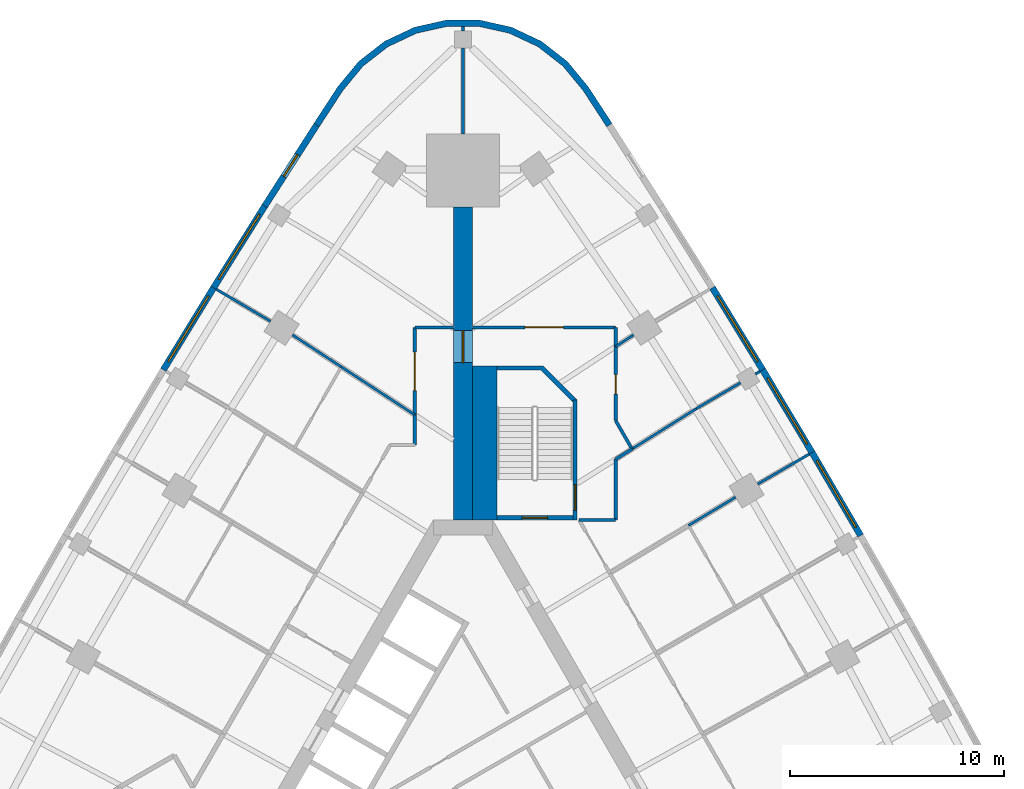
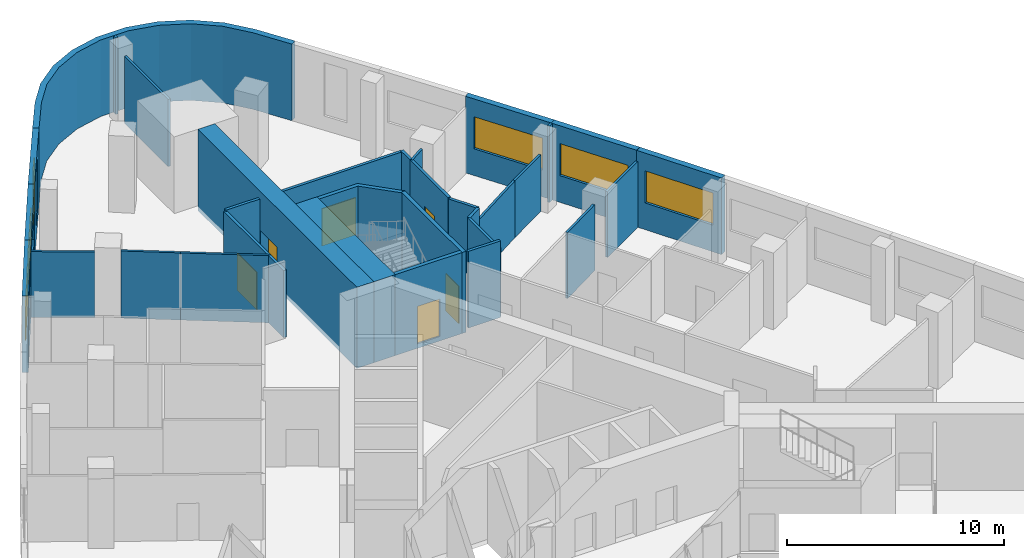
# One storey, part 9 of 11: 33 walls, 6 doors, 6 windows, 12 openings.
"""IFC4 building model written with IfcOpenShell, lengths in metres."""

import ifcopenshell
import ifcopenshell.guid

model = None  # the IFC model being written
_history = None  # IfcOwnerHistory: only IFC2X3 demands one
_inside = {}  # id of a spatial element -> (the spatial element, [elements in it])
_under = {}  # id of a project, library or spatial element -> (it, [spatial elements below it])
_declared = {}  # id of a project -> (the project, [libraries it declares])
_typed = {}  # id of a type object -> (the type object, [elements of that type])
_made_of = {}  # id of a material, layer set ... -> (it, [elements and type objects made of it])


def new_model(schema):
    """Start an empty IFC model of exactly this schema.

    Asked for "IFC4X3", IfcOpenShell would pick the latest addendum, in which some entities
    have other attributes; the version numbers below select the first issue.
    IFC2X3 requires an IfcOwnerHistory on every rooted entity: one is made here for all.
    """
    global model, _history
    if schema == "IFC4X3":
        model = ifcopenshell.file(schema_version=(4, 3, 0, 0))
    else:
        model = ifcopenshell.file(schema=schema)
    _inside.clear()
    _under.clear()
    _declared.clear()
    _typed.clear()
    _made_of.clear()
    _history = None
    if model.schema == "IFC2X3":
        org = make("IfcOrganization", Name="unknown")
        user = make(
            "IfcPersonAndOrganization",
            ThePerson=make("IfcPerson", FamilyName="unknown"),
            TheOrganization=org,
        )
        app = make(
            "IfcApplication",
            ApplicationDeveloper=org,
            Version="unknown",
            ApplicationFullName="unknown",
            ApplicationIdentifier="unknown",
        )
        _history = make(
            "IfcOwnerHistory",
            OwningUser=user,
            OwningApplication=app,
            ChangeAction="ADDED",
            CreationDate=0,
        )
    return model


def make(cls, **values):
    """One entity of the class cls with the attributes given. An attribute that is None is left unset."""
    return model.create_entity(
        cls, **{name: value for name, value in values.items() if value is not None}
    )


def rooted(cls, **values):
    """An entity with a GlobalId (a new one), such as an element, a storey or a relation."""
    return make(cls, GlobalId=ifcopenshell.guid.new(), OwnerHistory=_history, **values)


def si_unit(unit_type, name, prefix=None):
    """IfcSIUnit, for example si_unit("LENGTHUNIT", "METRE", prefix="MILLI")."""
    return make("IfcSIUnit", UnitType=unit_type, Prefix=prefix, Name=name)


def assignment(units):
    """IfcUnitAssignment: the units of a project."""
    return None if units is None else make("IfcUnitAssignment", Units=units)


def point(xyz):
    """IfcCartesianPoint."""
    return None if xyz is None else make("IfcCartesianPoint", Coordinates=xyz)


def direction(xyz):
    """IfcDirection."""
    return None if xyz is None else make("IfcDirection", DirectionRatios=xyz)


def frame(location, z_axis=None, x_axis=None):
    """IfcAxis2Placement3D, a coordinate frame: its origin and axes. An axis left out is left unset."""
    return make(
        "IfcAxis2Placement3D",
        Location=point(location),
        Axis=direction(z_axis),
        RefDirection=direction(x_axis),
    )


def frame_2d(location, x_axis=None):
    """IfcAxis2Placement2D, a coordinate frame in the plane: its origin and x axis."""
    return make(
        "IfcAxis2Placement2D", Location=point(location), RefDirection=direction(x_axis)
    )


def origin():
    """The frame at (0, 0, 0) with its axes left unset."""
    return frame((0.0, 0.0, 0.0))


def place(relative_to, where):
    """IfcLocalPlacement: puts the frame where relative to a parent placement (None: the world)."""
    return make(
        "IfcLocalPlacement", PlacementRelTo=relative_to, RelativePlacement=where
    )


def context(
    kind, dimensions, precision=None, world=None, true_north=None, identifier=None
):
    """IfcGeometricRepresentationContext, for example the 3D "Model" context."""
    return make(
        "IfcGeometricRepresentationContext",
        ContextIdentifier=identifier,
        ContextType=kind,
        CoordinateSpaceDimension=dimensions,
        Precision=precision,
        WorldCoordinateSystem=world,
        TrueNorth=true_north,
    )


def subcontext(parent, identifier, kind, view, scale=None):
    """IfcGeometricRepresentationSubContext, for example "Body" below "Model"."""
    return make(
        "IfcGeometricRepresentationSubContext",
        ContextIdentifier=identifier,
        ContextType=kind,
        ParentContext=parent,
        TargetScale=scale,
        TargetView=view,
    )


def project(units=None, contexts=None):
    """IfcProject with its units and contexts."""
    return rooted(
        "IfcProject",
        Name="project",
        RepresentationContexts=contexts,
        UnitsInContext=assignment(units),
    )


def spatial(cls, under=None, at=None, **own):
    """A site, building, storey or space (cls), placed at a placement, below another one or the project."""
    s = rooted(cls, ObjectPlacement=at, **own)
    if under is not None:
        _under.setdefault(under.id(), (under, []))[1].append(s)
    return s


def polyline(points):
    """IfcPolyline through the points."""
    return make("IfcPolyline", Points=[point(p) for p in points])


def profile(cls, at=None, kind="AREA", **sizes):
    """A parametric profile (cls). Its sizes go by their IFC names, for example OverallWidth=200.0."""
    return make(cls, ProfileType=kind, Position=at, **sizes)


def rectangle(**sizes):
    """IfcRectangleProfileDef."""
    return profile("IfcRectangleProfileDef", **sizes)


def outline(outer, holes=None, kind="AREA"):
    """IfcArbitraryClosedProfileDef: a profile drawn as a closed curve; with holes, ...WithVoids."""
    if holes is None:
        return make("IfcArbitraryClosedProfileDef", ProfileType=kind, OuterCurve=outer)
    return make(
        "IfcArbitraryProfileDefWithVoids",
        ProfileType=kind,
        OuterCurve=outer,
        InnerCurves=holes,
    )


def extrude(swept, where, along, depth):
    """IfcExtrudedAreaSolid: the profile swept, set in the frame where, extruded along a direction by depth."""
    return make(
        "IfcExtrudedAreaSolid",
        SweptArea=swept,
        Position=where,
        ExtrudedDirection=direction(along),
        Depth=depth,
    )


def shape(context_of_items, identifier, shape_type, items):
    """IfcShapeRepresentation: the items that make up one representation, for example the "Body"."""
    return make(
        "IfcShapeRepresentation",
        ContextOfItems=context_of_items,
        RepresentationIdentifier=identifier,
        RepresentationType=shape_type,
        Items=items,
    )


def material(Name=None, Category=None):
    """IfcMaterial."""
    return make("IfcMaterial", Name=Name, Category=Category)


def layer(
    of_material, thickness, ventilated=None, Name=None, Category=None, Priority=None
):
    """IfcMaterialLayer: one layer of a wall or slab, of a material (None: an air gap)."""
    return make(
        "IfcMaterialLayer",
        Material=of_material,
        LayerThickness=thickness,
        IsVentilated=ventilated,
        Name=Name,
        Category=Category,
        Priority=Priority,
    )


def layer_set(layers, Name=None):
    """IfcMaterialLayerSet."""
    return make("IfcMaterialLayerSet", MaterialLayers=layers, LayerSetName=Name)


def made_of(thing, what):
    """Note that an element or type object is made of a material, layer set ...; save() writes the relation."""
    if what is not None:
        _made_of.setdefault(what.id(), (what, []))[1].append(thing)
    return thing


def type_object(cls, material=None, **own):
    """A type object (cls), such as IfcWallType, which elements share."""
    return made_of(rooted(cls, **own), material)


def element(
    cls,
    number,
    at=None,
    inside=None,
    cuts=None,
    type_object=None,
    material=None,
    context=None,
    identifier="Body",
    shape_type=None,
    held_by="IfcProductDefinitionShape",
    body=None,
    shapes=None,
    **own,
):
    """One element of the class cls, such as IfcWall. Its Tag is "e" and its number.

    at: its placement. inside: the storey or other place that contains it. cuts: it is an
    opening in that element (IfcRelVoidsElement). A single representation is given by context,
    identifier, shape_type and body (its items); several are given by shapes. held_by: the class
    of the entity that holds the representations. save() writes the other relations.
    """
    e = rooted(cls, Tag="e%d" % number, ObjectPlacement=at, **own)
    if body is not None:
        shapes = [shape(context, identifier, shape_type, body)]
    if shapes is not None:
        e.Representation = make(held_by, Representations=shapes)
    if inside is not None:
        _inside.setdefault(inside.id(), (inside, []))[1].append(e)
    if cuts is not None:
        rooted(
            "IfcRelVoidsElement", RelatingBuildingElement=cuts, RelatedOpeningElement=e
        )
    if type_object is not None:
        _typed.setdefault(type_object.id(), (type_object, []))[1].append(e)
    return made_of(e, material)


def fill(opening, filler):
    """IfcRelFillsElement: the door or window that sits in an opening."""
    return rooted(
        "IfcRelFillsElement",
        RelatingOpeningElement=opening,
        RelatedBuildingElement=filler,
    )


def aggregate(whole, parts):
    """IfcRelAggregates: a whole, such as a stair, and the parts it consists of."""
    return rooted("IfcRelAggregates", RelatingObject=whole, RelatedObjects=parts)


def save(model, path):
    """Write the relations noted so far, then the file.

    IfcRelAggregates (storeys below a building ...), IfcRelContainedInSpatialStructure (elements
    in a storey), IfcRelDefinesByType, IfcRelAssociatesMaterial and IfcRelDeclares: one each for
    every whole, place, type object, material and project.
    """
    for whole, parts in _under.values():
        aggregate(whole, parts)
    for where, things in _inside.values():
        rooted(
            "IfcRelContainedInSpatialStructure",
            RelatedElements=things,
            RelatingStructure=where,
        )
    for kind, things in _typed.values():
        rooted("IfcRelDefinesByType", RelatedObjects=things, RelatingType=kind)
    for what, things in _made_of.values():
        rooted("IfcRelAssociatesMaterial", RelatedObjects=things, RelatingMaterial=what)
    for by, libraries in _declared.values():
        rooted("IfcRelDeclares", RelatingContext=by, RelatedDefinitions=libraries)
    model.write(path)


model = new_model("IFC4")

# Units and contexts
model_context = context("Model", 3, precision=1e-05, world=origin(), true_north=direction((0.0, 1.0)))
body_context = subcontext(model_context, "Body", "Model", "MODEL_VIEW")
ifc_project = project(units=[si_unit("LENGTHUNIT", "METRE"), si_unit("AREAUNIT", "SQUARE_METRE"), si_unit("VOLUMEUNIT", "CUBIC_METRE"), si_unit("PLANEANGLEUNIT", "RADIAN"), si_unit("MASSUNIT", "GRAM", prefix="KILO")], contexts=[model_context])

# Site, building, storey
site_placement = place(None, origin())
site = spatial("IfcSite", under=ifc_project, at=site_placement, CompositionType="ELEMENT")
building_placement = place(site_placement, origin())
building = spatial("IfcBuilding", under=site, at=building_placement, Name="Noor Cloister Tower", CompositionType="ELEMENT")
storey_placement = place(building_placement, frame((0.0, 0.0, 19.5)))
storey = spatial("IfcBuildingStorey", under=building, at=storey_placement, Name="L04", CompositionType="ELEMENT", Elevation=19.5)

# Wall, opening, door
ifc_material_1 = material(Name="Concrete C80/95", Category="concrete")
ifc_layer_1 = layer(ifc_material_1, 0.89990234375)
ifc_layer_set_1 = layer_set([ifc_layer_1], Name="Buttress wall 900 C80/95")
wall_type_1 = type_object("IfcWallType", Name="Buttress wall 900 C80/95", PredefinedType="SHEAR", material=ifc_layer_set_1)
wall_1_placement = place(storey_placement, frame((0.0, 11.456298828125, -0.25), z_axis=(0.0, 0.0, 1.0), x_axis=(0.0, 1.0, 0.0)))
wall_1 = element("IfcWall", 1, at=wall_1_placement, inside=storey, type_object=wall_type_1, Name="Buttress wall N L04", PredefinedType="SHEAR", context=body_context, shape_type="SweptSolid", body=[
    extrude(rectangle(XDim=14.6328125, YDim=0.89990234375, at=frame_2d((7.31640625, 0.0))), origin(), (0.0, 0.0, 1.0), 4.550048828125),
])
opening_1_placement = place(wall_1_placement, frame((7.35009765625, 0.0, 0.25)))
opening_1 = element("IfcOpeningElement", 2, at=opening_1_placement, cuts=wall_1, Name="Opening L04-033", PredefinedType="OPENING", context=body_context, shape_type="SweptSolid", body=[
    extrude(rectangle(XDim=1.5, YDim=2.10009765625, at=frame_2d((0.75, 1.050048828125))), frame((0.0, 0.4599609375, 0.0), z_axis=(0.0, -1.0, 0.0), x_axis=(1.0, 0.0, 0.0)), (0.0, 0.0, 1.0), 0.919921875),
])
ifc_material_2 = material(Name="Steel fire door", Category="steel")
door_type_1 = type_object("IfcDoorType", Name="Smoke barrier door FD60 1500", OperationType="DOUBLE_DOOR_SINGLE_SWING", PredefinedType="DOOR", material=ifc_material_2)
door_1_placement = place(opening_1_placement, origin())
door_1 = element("IfcDoor", 3, at=door_1_placement, inside=storey, type_object=door_type_1, Name="Door L04-033", OperationType="DOUBLE_DOOR_SINGLE_SWING", OverallHeight=2.10009765625, OverallWidth=1.5, PredefinedType="DOOR", context=body_context, shape_type="SweptSolid", body=[
    extrude(rectangle(XDim=1.5, YDim=2.10009765625, at=frame_2d((0.75, 1.050048828125))), frame((0.0, 0.02490234375, 0.0), z_axis=(0.0, -1.0, 0.0), x_axis=(1.0, 0.0, 0.0)), (0.0, 0.0, 1.0), 0.050048828125),
])
fill(opening_1, door_1)

# Walls
ifc_material_3 = material(Name="Plasterboard on steel studs", Category="steel")
ifc_layer_2 = layer(ifc_material_3, 0.14990234375)
ifc_layer_set_2 = layer_set([ifc_layer_2], Name="Corridor wall 150")
wall_type_2 = type_object("IfcWallType", Name="Corridor wall 150", PredefinedType="PARTITIONING", material=ifc_layer_set_2)
wall_2_placement = place(storey_placement, frame((5.427001953125, 11.4560546875, 0.0), z_axis=(0.0, 0.0, 1.0), x_axis=(1.0, 0.0, 0.0)))
element("IfcWall", 4, at=wall_2_placement, inside=storey, type_object=wall_type_2, Name="Partition", PredefinedType="PARTITIONING", context=body_context, shape_type="SweptSolid", body=[
    extrude(rectangle(XDim=1.7080078125, YDim=0.14990234375, at=frame_2d((0.85400390625, 0.0))), origin(), (0.0, 0.0, 1.0), 4.300048828125),
])
wall_3_placement = place(storey_placement, frame((7.135986328125, 11.45703125, 0.0), z_axis=(0.0, 0.0, 1.0), x_axis=(0.0, 1.0, 0.0)))
element("IfcWall", 5, at=wall_3_placement, inside=storey, type_object=wall_type_2, Name="Partition", PredefinedType="PARTITIONING", context=body_context, shape_type="SweptSolid", body=[
    extrude(rectangle(XDim=2.8388671875, YDim=0.14990234375, at=frame_2d((1.41943359375, 0.0))), origin(), (0.0, 0.0, 1.0), 3.843017578125),
])
wall_4_placement = place(storey_placement, frame((7.135986328125, 14.2958984375, 0.0), z_axis=(0.0, 0.0, 1.0), x_axis=(0.84681367047, 0.531889657265, 0.0)))
element("IfcWall", 6, at=wall_4_placement, inside=storey, type_object=wall_type_2, Name="Partition", PredefinedType="PARTITIONING", context=body_context, shape_type="SweptSolid", body=[
    extrude(rectangle(XDim=0.90478515625, YDim=0.14990234375, at=frame_2d((0.452392578125, 0.0))), origin(), (0.0, 0.0, 1.0), 3.843017578125),
])
wall_5_placement = place(storey_placement, frame((7.89892578125, 14.77587890625, 0.0), z_axis=(0.0, 0.0, 1.0), x_axis=(-0.500392307633, 0.865798786359, 0.0)))
element("IfcWall", 7, at=wall_5_placement, inside=storey, type_object=wall_type_2, Name="Partition", PredefinedType="PARTITIONING", context=body_context, shape_type="SweptSolid", body=[
    extrude(rectangle(XDim=1.524658203125, YDim=0.14990234375, at=frame_2d((0.76220703125, 0.0))), origin(), (0.0, 0.0, 1.0), 3.843017578125),
])

# Wall, opening, door
wall_6_placement = place(storey_placement, frame((7.135986328125, 16.095947265625, 0.0), z_axis=(0.0, 0.0, 1.0), x_axis=(0.0, 1.0, 0.0)))
wall_6 = element("IfcWall", 8, at=wall_6_placement, inside=storey, type_object=wall_type_2, Name="Partition", PredefinedType="PARTITIONING", context=body_context, shape_type="SweptSolid", body=[
    extrude(rectangle(XDim=3.466064453125, YDim=0.14990234375, at=frame_2d((1.73291015625, 0.0))), origin(), (0.0, 0.0, 1.0), 3.89404296875),
])
opening_2_placement = place(wall_6_placement, frame((1.25, 0.0, 0.0)))
opening_2 = element("IfcOpeningElement", 9, at=opening_2_placement, cuts=wall_6, Name="Opening L04-028", PredefinedType="OPENING", context=body_context, shape_type="SweptSolid", body=[
    extrude(rectangle(XDim=0.89990234375, YDim=2.10009765625, at=frame_2d((0.449951171875, 1.050048828125))), frame((0.0, 0.0849609375, 0.0), z_axis=(0.0, -1.0, 0.0), x_axis=(1.0, 0.0, 0.0)), (0.0, 0.0, 1.0), 0.169921875),
])
ifc_material_4 = material(Name="Timber door leaf", Category="wood")
door_type_2 = type_object("IfcDoorType", Name="Service room door 900", OperationType="SINGLE_SWING_LEFT", PredefinedType="DOOR", material=ifc_material_4)
door_2_placement = place(opening_2_placement, origin())
door_2 = element("IfcDoor", 10, at=door_2_placement, inside=storey, type_object=door_type_2, Name="Door L04-028", OperationType="SINGLE_SWING_RIGHT", OverallHeight=2.10009765625, OverallWidth=0.89990234375, PredefinedType="DOOR", context=body_context, shape_type="SweptSolid", body=[
    extrude(rectangle(XDim=0.89990234375, YDim=2.10009765625, at=frame_2d((0.449951171875, 1.050048828125))), frame((0.0, 0.02490234375, 0.0), z_axis=(0.0, -1.0, 0.0), x_axis=(1.0, 0.0, 0.0)), (0.0, 0.0, 1.0), 0.050048828125),
])
fill(opening_2, door_2)

# Wall
wall_7_placement = place(storey_placement, frame((7.135986328125, 19.56298828125, 0.0), z_axis=(0.0, 0.0, 1.0), x_axis=(0.0, 1.0, 0.0)))
element("IfcWall", 11, at=wall_7_placement, inside=storey, type_object=wall_type_2, Name="Partition", PredefinedType="PARTITIONING", context=body_context, shape_type="SweptSolid", body=[
    extrude(rectangle(XDim=0.89306640625, YDim=0.14990234375, at=frame_2d((0.446533203125, 0.0))), origin(), (0.0, 0.0, 1.0), 3.89404296875),
])

# Wall, opening, door
wall_8_placement = place(storey_placement, frame((7.135986328125, 20.4560546875, 0.0), z_axis=(0.0, 0.0, 1.0), x_axis=(-1.0, 0.0, 0.0)))
wall_8 = element("IfcWall", 12, at=wall_8_placement, inside=storey, type_object=wall_type_2, Name="Partition", PredefinedType="PARTITIONING", context=body_context, shape_type="SweptSolid", body=[
    extrude(rectangle(XDim=6.68603515625, YDim=0.14990234375, at=frame_2d((3.343017578125, 0.0))), origin(), (0.0, 0.0, 1.0), 3.843017578125),
])
opening_3_placement = place(wall_8_placement, frame((2.449951171875, 0.0, 0.0)))
opening_3 = element("IfcOpeningElement", 13, at=opening_3_placement, cuts=wall_8, Name="Opening L04-030", PredefinedType="OPENING", context=body_context, shape_type="SweptSolid", body=[
    extrude(rectangle(XDim=1.800048828125, YDim=2.10009765625, at=frame_2d((0.89990234375, 1.050048828125))), frame((0.0, 0.0849609375, 0.0), z_axis=(0.0, -1.0, 0.0), x_axis=(1.0, 0.0, 0.0)), (0.0, 0.0, 1.0), 0.169921875),
])
ifc_material_5 = material(Name="Timber door leaf", Category="wood")
door_type_3 = type_object("IfcDoorType", Name="Double leaf door 1800", OperationType="DOUBLE_DOOR_SINGLE_SWING", PredefinedType="DOOR", material=ifc_material_5)
door_3_placement = place(opening_3_placement, origin())
door_3 = element("IfcDoor", 14, at=door_3_placement, inside=storey, type_object=door_type_3, Name="Door L04-030", OperationType="DOUBLE_DOOR_SINGLE_SWING", OverallHeight=2.10009765625, OverallWidth=1.800048828125, PredefinedType="DOOR", context=body_context, shape_type="SweptSolid", body=[
    extrude(rectangle(XDim=1.800048828125, YDim=2.10009765625, at=frame_2d((0.89990234375, 1.050048828125))), frame((0.0, 0.02490234375, 0.0), z_axis=(0.0, -1.0, 0.0), x_axis=(1.0, 0.0, 0.0)), (0.0, 0.0, 1.0), 0.050048828125),
])
fill(opening_3, door_3)

# Walls
wall_9_placement = place(storey_placement, frame((-2.25, 16.364990234375, 0.0), z_axis=(0.0, 0.0, 1.0), x_axis=(0.0, -1.0, 0.0)))
element("IfcWall", 15, at=wall_9_placement, inside=storey, type_object=wall_type_2, Name="Partition", PredefinedType="PARTITIONING", context=body_context, shape_type="SweptSolid", body=[
    extrude(rectangle(XDim=1.408935546875, YDim=0.14990234375, at=frame_2d((0.70458984375, 0.0))), origin(), (0.0, 0.0, 1.0), 3.76708984375),
])
wall_10_placement = place(storey_placement, frame((-0.449951171875, 20.4560546875, 0.0), z_axis=(0.0, 0.0, 1.0), x_axis=(-1.0, 0.0, 0.0)))
element("IfcWall", 16, at=wall_10_placement, inside=storey, type_object=wall_type_2, Name="Partition", PredefinedType="PARTITIONING", context=body_context, shape_type="SweptSolid", body=[
    extrude(rectangle(XDim=1.800048828125, YDim=0.14990234375, at=frame_2d((0.89990234375, 0.0))), origin(), (0.0, 0.0, 1.0), 3.843017578125),
])

# Wall, opening, door
wall_11_placement = place(storey_placement, frame((-2.25, 20.4560546875, 0.0), z_axis=(0.0, 0.0, 1.0), x_axis=(0.0, -1.0, 0.0)))
wall_11 = element("IfcWall", 17, at=wall_11_placement, inside=storey, type_object=wall_type_2, Name="Partition", PredefinedType="PARTITIONING", context=body_context, shape_type="SweptSolid", body=[
    extrude(rectangle(XDim=4.089111328125, YDim=0.14990234375, at=frame_2d((2.04443359375, 0.0))), origin(), (0.0, 0.0, 1.0), 3.76708984375),
])
opening_4_placement = place(wall_11_placement, frame((1.14990234375, 0.0, 0.0)))
opening_4 = element("IfcOpeningElement", 18, at=opening_4_placement, cuts=wall_11, Name="Opening L04-029", PredefinedType="OPENING", context=body_context, shape_type="SweptSolid", body=[
    extrude(rectangle(XDim=1.800048828125, YDim=2.10009765625, at=frame_2d((0.89990234375, 1.050048828125))), frame((0.0, 0.0849609375, 0.0), z_axis=(0.0, -1.0, 0.0), x_axis=(1.0, 0.0, 0.0)), (0.0, 0.0, 1.0), 0.169921875),
])
door_4_placement = place(opening_4_placement, origin())
door_4 = element("IfcDoor", 19, at=door_4_placement, inside=storey, type_object=door_type_3, Name="Door L04-029", OperationType="DOUBLE_DOOR_SINGLE_SWING", OverallHeight=2.10009765625, OverallWidth=1.800048828125, PredefinedType="DOOR", context=body_context, shape_type="SweptSolid", body=[
    extrude(rectangle(XDim=1.800048828125, YDim=2.10009765625, at=frame_2d((0.89990234375, 1.050048828125))), frame((0.0, 0.02490234375, 0.0), z_axis=(0.0, -1.0, 0.0), x_axis=(1.0, 0.0, 0.0)), (0.0, 0.0, 1.0), 0.050048828125),
])
fill(opening_4, door_4)

# Wall
ifc_material_6 = material(Name="Limestone", Category="masonry")
ifc_layer_3 = layer(ifc_material_6, 0.300048828125)
ifc_layer_set_3 = layer_set([ifc_layer_3], Name="Limestone cladding 300")
wall_type_3 = type_object("IfcWallType", Name="Limestone cladding 300", PredefinedType="NOTDEFINED", material=ifc_layer_set_3)
wall_12_placement = place(storey_placement, origin())
element("IfcWall", 20, at=wall_12_placement, inside=storey, type_object=wall_type_3, Name="Limestone pier cladding L04 3.1", PredefinedType="NOTDEFINED", context=body_context, shape_type="SweptSolid", body=[
    extrude(outline(polyline([(6.96728515625, 29.991943359375), (5.85693359375, 31.69677734375), (4.877685546875, 32.884033203125), (3.662841796875, 33.828369140625), (2.27099609375, 34.484619140625), (0.769287109375, 34.82080078125), (-0.769287109375, 34.82080078125), (-2.27099609375, 34.484619140625), (-3.662841796875, 33.828369140625), (-4.877685546875, 32.884033203125), (-5.85693359375, 31.69677734375), (-6.96728515625, 29.991943359375), (-6.7158203125, 29.828125), (-5.61474609375, 31.51904296875), (-4.667236328125, 32.66748046875), (-3.5048828125, 33.571044921875), (-2.173095703125, 34.198974609375), (-0.736328125, 34.520751953125), (0.736328125, 34.520751953125), (2.173095703125, 34.198974609375), (3.5048828125, 33.571044921875), (4.667236328125, 32.66748046875), (5.61474609375, 31.51904296875), (6.7158203125, 29.828125), (6.96728515625, 29.991943359375)])), origin(), (0.0, 0.0, 1.0), 4.300048828125),
])

# Wall, opening, window
ifc_material_7 = material(Name="Limestone", Category="masonry")
ifc_layer_4 = layer(ifc_material_7, 0.300048828125)
ifc_layer_set_4 = layer_set([ifc_layer_4], Name="Limestone panel wall 300")
wall_type_4 = type_object("IfcWallType", Name="Limestone panel wall 300", PredefinedType="NOTDEFINED", material=ifc_layer_set_4)
wall_13_placement = place(storey_placement, frame((-9.267578125, 26.12353515625, 0.0), z_axis=(0.0, 0.0, 1.0), x_axis=(0.539483537275, 0.841996147859, 0.0)))
wall_13 = element("IfcWall", 21, at=wall_13_placement, inside=storey, type_object=wall_type_4, Name="Limestone wall L04 NW 1", PredefinedType="NOTDEFINED", context=body_context, shape_type="SweptSolid", body=[
    extrude(rectangle(XDim=4.49609375, YDim=0.300048828125, at=frame_2d((2.248046875, 0.0))), origin(), (0.0, 0.0, 1.0), 4.300048828125),
])
opening_5_placement = place(wall_13_placement, frame((1.64794921875, 0.0, 0.800048828125)))
opening_5 = element("IfcOpeningElement", 22, at=opening_5_placement, cuts=wall_13, Name="Opening L04-W01", PredefinedType="OPENING", context=body_context, shape_type="SweptSolid", body=[
    extrude(rectangle(XDim=1.199951171875, YDim=3.0, at=frame_2d((0.60009765625, 1.5))), frame((0.0, 0.16015625, 0.0), z_axis=(0.0, -1.0, 0.0), x_axis=(1.0, 0.0, 0.0)), (0.0, 0.0, 1.0), 0.320068359375),
])
ifc_material_8 = material(Name="Aluminium 6063-T6 anodised", Category="aluminium")
window_type_1 = type_object("IfcWindowType", Name="Lancet window 1200 x 3000", PartitioningType="SINGLE_PANEL", PredefinedType="WINDOW", material=ifc_material_8)
window_1_placement = place(opening_5_placement, origin())
window_1 = element("IfcWindow", 23, at=window_1_placement, inside=storey, type_object=window_type_1, Name="Window L04 1", OverallHeight=3.0, OverallWidth=1.199951171875, PartitioningType="SINGLE_PANEL", PredefinedType="WINDOW", context=body_context, shape_type="SweptSolid", body=[
    extrude(rectangle(XDim=1.199951171875, YDim=3.0, at=frame_2d((0.60009765625, 1.5))), frame((0.0, 0.030029296875, 0.0), z_axis=(0.0, -1.0, 0.0), x_axis=(1.0, 0.0, 0.0)), (0.0, 0.0, 1.0), 0.06005859375),
])
fill(opening_5, window_1)

wall_14_placement = place(storey_placement, frame((-11.6552734375, 22.311279296875, 0.0), z_axis=(0.0, 0.0, 1.0), x_axis=(0.530804082031, 0.847494558389, 0.0)))
wall_14 = element("IfcWall", 24, at=wall_14_placement, inside=storey, type_object=wall_type_4, Name="Limestone wall L04 NW 2", PredefinedType="NOTDEFINED", context=body_context, shape_type="SweptSolid", body=[
    extrude(rectangle(XDim=4.495849609375, YDim=0.300048828125, at=frame_2d((2.248046875, 0.0))), origin(), (0.0, 0.0, 1.0), 4.300048828125),
])
opening_6_placement = place(wall_14_placement, frame((0.447998046875, 0.0, 1.5)))
opening_6 = element("IfcOpeningElement", 25, at=opening_6_placement, cuts=wall_14, Name="Opening L04-W02", PredefinedType="OPENING", context=body_context, shape_type="SweptSolid", body=[
    extrude(rectangle(XDim=3.60009765625, YDim=1.800048828125, at=frame_2d((1.800048828125, 0.89990234375))), frame((0.0, 0.16015625, 0.0), z_axis=(0.0, -1.0, 0.0), x_axis=(1.0, 0.0, 0.0)), (0.0, 0.0, 1.0), 0.320068359375),
])
ifc_material_9 = material(Name="Aluminium 6063-T6 anodised", Category="aluminium")
window_type_2 = type_object("IfcWindowType", Name="Clerestory window 3600 x 1800", PartitioningType="SINGLE_PANEL", PredefinedType="WINDOW", material=ifc_material_9)
window_2_placement = place(opening_6_placement, origin())
window_2 = element("IfcWindow", 26, at=window_2_placement, inside=storey, type_object=window_type_2, Name="Window L04 2", OverallHeight=1.800048828125, OverallWidth=3.60009765625, PartitioningType="SINGLE_PANEL", PredefinedType="WINDOW", context=body_context, shape_type="SweptSolid", body=[
    extrude(rectangle(XDim=3.60009765625, YDim=1.800048828125, at=frame_2d((1.800048828125, 0.89990234375))), frame((0.0, 0.030029296875, 0.0), z_axis=(0.0, -1.0, 0.0), x_axis=(1.0, 0.0, 0.0)), (0.0, 0.0, 1.0), 0.06005859375),
])
fill(opening_6, window_2)

wall_15_placement = place(storey_placement, frame((-14.003662109375, 18.474609375, 0.0), z_axis=(0.0, 0.0, 1.0), x_axis=(0.522078085402, 0.852897691838, 0.0)))
wall_15 = element("IfcWall", 27, at=wall_15_placement, inside=storey, type_object=wall_type_4, Name="Limestone wall L04 NW 3", PredefinedType="NOTDEFINED", context=body_context, shape_type="SweptSolid", body=[
    extrude(rectangle(XDim=4.495849609375, YDim=0.300048828125, at=frame_2d((2.248046875, 0.0))), origin(), (0.0, 0.0, 1.0), 4.300048828125),
])
opening_7_placement = place(wall_15_placement, frame((0.447998046875, 0.0, 1.5)))
opening_7 = element("IfcOpeningElement", 28, at=opening_7_placement, cuts=wall_15, Name="Opening L04-W03", PredefinedType="OPENING", context=body_context, shape_type="SweptSolid", body=[
    extrude(rectangle(XDim=3.60009765625, YDim=1.800048828125, at=frame_2d((1.800048828125, 0.89990234375))), frame((0.0, 0.16015625, 0.0), z_axis=(0.0, -1.0, 0.0), x_axis=(1.0, 0.0, 0.0)), (0.0, 0.0, 1.0), 0.320068359375),
])
window_3_placement = place(opening_7_placement, origin())
window_3 = element("IfcWindow", 29, at=window_3_placement, inside=storey, type_object=window_type_2, Name="Window L04 3", OverallHeight=1.800048828125, OverallWidth=3.60009765625, PartitioningType="SINGLE_PANEL", PredefinedType="WINDOW", context=body_context, shape_type="SweptSolid", body=[
    extrude(rectangle(XDim=3.60009765625, YDim=1.800048828125, at=frame_2d((1.800048828125, 0.89990234375))), frame((0.0, 0.030029296875, 0.0), z_axis=(0.0, -1.0, 0.0), x_axis=(1.0, 0.0, 0.0)), (0.0, 0.0, 1.0), 0.06005859375),
])
fill(opening_7, window_3)

wall_16_placement = place(storey_placement, frame((16.31396484375, 14.61181640625, 0.0), z_axis=(0.0, 0.0, 1.0), x_axis=(0.50445499627, -0.86343798662, 0.0)))
wall_16 = element("IfcWall", 30, at=wall_16_placement, inside=storey, type_object=wall_type_4, Name="Limestone wall L04 NE 6", PredefinedType="NOTDEFINED", context=body_context, shape_type="SweptSolid", body=[
    extrude(rectangle(XDim=4.49609375, YDim=0.300048828125, at=frame_2d((2.248046875, 0.0))), origin(), (0.0, 0.0, 1.0), 4.300048828125),
])
opening_8_placement = place(wall_16_placement, frame((0.447998046875, 0.0, 1.5)))
opening_8 = element("IfcOpeningElement", 31, at=opening_8_placement, cuts=wall_16, Name="Opening L04-W26", PredefinedType="OPENING", context=body_context, shape_type="SweptSolid", body=[
    extrude(rectangle(XDim=3.60009765625, YDim=1.800048828125, at=frame_2d((1.800048828125, 0.89990234375))), frame((0.0, 0.16015625, 0.0), z_axis=(0.0, -1.0, 0.0), x_axis=(1.0, 0.0, 0.0)), (0.0, 0.0, 1.0), 0.320068359375),
])
window_4_placement = place(opening_8_placement, origin())
window_4 = element("IfcWindow", 32, at=window_4_placement, inside=storey, type_object=window_type_2, Name="Window L04 26", OverallHeight=1.800048828125, OverallWidth=3.60009765625, PartitioningType="SINGLE_PANEL", PredefinedType="WINDOW", context=body_context, shape_type="SweptSolid", body=[
    extrude(rectangle(XDim=3.60009765625, YDim=1.800048828125, at=frame_2d((1.800048828125, 0.89990234375))), frame((0.0, 0.030029296875, 0.0), z_axis=(0.0, -1.0, 0.0), x_axis=(1.0, 0.0, 0.0)), (0.0, 0.0, 1.0), 0.06005859375),
])
fill(opening_8, window_4)

wall_17_placement = place(storey_placement, frame((14.005126953125, 18.472412109375, 0.0), z_axis=(0.0, 0.0, 1.0), x_axis=(0.513257465408, -0.858234684805, 0.0)))
wall_17 = element("IfcWall", 33, at=wall_17_placement, inside=storey, type_object=wall_type_4, Name="Limestone wall L04 NE 7", PredefinedType="NOTDEFINED", context=body_context, shape_type="SweptSolid", body=[
    extrude(rectangle(XDim=4.49609375, YDim=0.300048828125, at=frame_2d((2.248046875, 0.0))), origin(), (0.0, 0.0, 1.0), 4.300048828125),
])
opening_9_placement = place(wall_17_placement, frame((0.447998046875, 0.0, 1.5)))
opening_9 = element("IfcOpeningElement", 34, at=opening_9_placement, cuts=wall_17, Name="Opening L04-W27", PredefinedType="OPENING", context=body_context, shape_type="SweptSolid", body=[
    extrude(rectangle(XDim=3.60009765625, YDim=1.800048828125, at=frame_2d((1.800048828125, 0.89990234375))), frame((0.0, 0.16015625, 0.0), z_axis=(0.0, -1.0, 0.0), x_axis=(1.0, 0.0, 0.0)), (0.0, 0.0, 1.0), 0.320068359375),
])
window_5_placement = place(opening_9_placement, origin())
window_5 = element("IfcWindow", 35, at=window_5_placement, inside=storey, type_object=window_type_2, Name="Window L04 27", OverallHeight=1.800048828125, OverallWidth=3.60009765625, PartitioningType="SINGLE_PANEL", PredefinedType="WINDOW", context=body_context, shape_type="SweptSolid", body=[
    extrude(rectangle(XDim=3.60009765625, YDim=1.800048828125, at=frame_2d((1.800048828125, 0.89990234375))), frame((0.0, 0.030029296875, 0.0), z_axis=(0.0, -1.0, 0.0), x_axis=(1.0, 0.0, 0.0)), (0.0, 0.0, 1.0), 0.06005859375),
])
fill(opening_9, window_5)

wall_18_placement = place(storey_placement, frame((11.656494140625, 22.30908203125, 0.0), z_axis=(0.0, 0.0, 1.0), x_axis=(0.522078085402, -0.852897691838, 0.0)))
wall_18 = element("IfcWall", 36, at=wall_18_placement, inside=storey, type_object=wall_type_4, Name="Limestone wall L04 NE 8", PredefinedType="NOTDEFINED", context=body_context, shape_type="SweptSolid", body=[
    extrude(rectangle(XDim=4.495849609375, YDim=0.300048828125, at=frame_2d((2.248046875, 0.0))), origin(), (0.0, 0.0, 1.0), 4.300048828125),
])
opening_10_placement = place(wall_18_placement, frame((0.447998046875, 0.0, 1.5)))
opening_10 = element("IfcOpeningElement", 37, at=opening_10_placement, cuts=wall_18, Name="Opening L04-W28", PredefinedType="OPENING", context=body_context, shape_type="SweptSolid", body=[
    extrude(rectangle(XDim=3.60009765625, YDim=1.800048828125, at=frame_2d((1.800048828125, 0.89990234375))), frame((0.0, 0.16015625, 0.0), z_axis=(0.0, -1.0, 0.0), x_axis=(1.0, 0.0, 0.0)), (0.0, 0.0, 1.0), 0.320068359375),
])
window_6_placement = place(opening_10_placement, origin())
window_6 = element("IfcWindow", 38, at=window_6_placement, inside=storey, type_object=window_type_2, Name="Window L04 28", OverallHeight=1.800048828125, OverallWidth=3.60009765625, PartitioningType="SINGLE_PANEL", PredefinedType="WINDOW", context=body_context, shape_type="SweptSolid", body=[
    extrude(rectangle(XDim=3.60009765625, YDim=1.800048828125, at=frame_2d((1.800048828125, 0.89990234375))), frame((0.0, 0.030029296875, 0.0), z_axis=(0.0, -1.0, 0.0), x_axis=(1.0, 0.0, 0.0)), (0.0, 0.0, 1.0), 0.06005859375),
])
fill(opening_10, window_6)

# Walls
ifc_material_10 = material(Name="Plasterboard on steel studs", Category="steel")
ifc_layer_5 = layer(ifc_material_10, 0.1201171875)
ifc_layer_set_5 = layer_set([ifc_layer_5], Name="Partition wall 120")
wall_type_5 = type_object("IfcWallType", Name="Partition wall 120", PredefinedType="PARTITIONING", material=ifc_layer_set_5)
wall_19_placement = place(storey_placement, frame((12.736083984375, 12.52392578125, 0.0), z_axis=(0.0, 0.0, 1.0), x_axis=(-0.85666145055, -0.515879015993, 0.0)))
element("IfcWall", 39, at=wall_19_placement, inside=storey, type_object=wall_type_5, Name="Partition", PredefinedType="PARTITIONING", context=body_context, shape_type="SweptSolid", body=[
    extrude(rectangle(XDim=2.568359375, YDim=0.1201171875, at=frame_2d((1.2841796875, 0.0))), origin(), (0.0, 0.0, 1.0), 3.697998046875),
])
wall_20_placement = place(storey_placement, frame((16.18310546875, 14.5380859375, 0.0), z_axis=(0.0, 0.0, 1.0), x_axis=(-0.864576979504, -0.50250039454, 0.0)))
element("IfcWall", 40, at=wall_20_placement, inside=storey, type_object=wall_type_5, Name="Partition", PredefinedType="PARTITIONING", context=body_context, shape_type="SweptSolid", body=[
    extrude(rectangle(XDim=2.792236328125, YDim=0.1201171875, at=frame_2d((1.39599609375, 0.0))), origin(), (0.0, 0.0, 1.0), 3.68310546875),
])
wall_21_placement = place(storey_placement, frame((12.968017578125, 17.868896484375, 0.0), z_axis=(0.0, 0.0, 1.0), x_axis=(-0.863161652457, -0.504927679701, 0.0)))
element("IfcWall", 41, at=wall_21_placement, inside=storey, type_object=wall_type_5, Name="Partition", PredefinedType="PARTITIONING", context=body_context, shape_type="SweptSolid", body=[
    extrude(rectangle(XDim=2.398193359375, YDim=0.1201171875, at=frame_2d((1.19921875, 0.0))), origin(), (0.0, 0.0, 1.0), 3.179931640625),
])
wall_22_placement = place(storey_placement, frame((10.89794921875, 16.657958984375, 0.0), z_axis=(0.0, 0.0, 1.0), x_axis=(-0.846864700387, -0.531808404634, 0.0)))
element("IfcWall", 42, at=wall_22_placement, inside=storey, type_object=wall_type_5, Name="Partition", PredefinedType="PARTITIONING", context=body_context, shape_type="SweptSolid", body=[
    extrude(rectangle(XDim=3.5390625, YDim=0.1201171875, at=frame_2d((1.76953125, 0.0))), origin(), (0.0, 0.0, 1.0), 3.179931640625),
])
wall_23_placement = place(storey_placement, frame((13.8740234375, 18.39892578125, 0.0), z_axis=(0.0, 0.0, 1.0), x_axis=(-0.863885093979, -0.503688936151, 0.0)))
element("IfcWall", 43, at=wall_23_placement, inside=storey, type_object=wall_type_5, Name="Partition", PredefinedType="PARTITIONING", context=body_context, shape_type="SweptSolid", body=[
    extrude(rectangle(XDim=0.25, YDim=0.1201171875, at=frame_2d((0.125, 0.0))), origin(), (0.0, 0.0, 1.0), 4.300048828125),
])
wall_24_placement = place(storey_placement, frame((-2.251953125, 16.366943359375, 0.0), z_axis=(0.0, 0.0, 1.0), x_axis=(-0.836925574982, 0.547316710819, 0.0)))
element("IfcWall", 44, at=wall_24_placement, inside=storey, type_object=wall_type_5, Name="Partition", PredefinedType="PARTITIONING", context=body_context, shape_type="SweptSolid", body=[
    extrude(rectangle(XDim=4.10205078125, YDim=0.1201171875, at=frame_2d((2.051025390625, 0.0))), origin(), (0.0, 0.0, 1.0), 3.76708984375),
])
wall_25_placement = place(storey_placement, frame((-8.991943359375, 20.742919921875, 0.0), z_axis=(0.0, 0.0, 1.0), x_axis=(-0.861228913487, 0.508217235613, 0.0)))
element("IfcWall", 45, at=wall_25_placement, inside=storey, type_object=wall_type_5, Name="Partition", PredefinedType="PARTITIONING", context=body_context, shape_type="SweptSolid", body=[
    extrude(rectangle(XDim=2.93994140625, YDim=0.1201171875, at=frame_2d((1.469970703125, 0.0))), origin(), (0.0, 0.0, 1.0), 3.68310546875),
])
wall_26_placement = place(storey_placement, frame((-5.68505859375, 18.612060546875, 0.0), z_axis=(0.0, 0.0, 1.0), x_axis=(-0.836813840242, 0.547487531163, 0.0)))
element("IfcWall", 46, at=wall_26_placement, inside=storey, type_object=wall_type_5, Name="Partition", PredefinedType="PARTITIONING", context=body_context, shape_type="SweptSolid", body=[
    extrude(rectangle(XDim=2.73388671875, YDim=0.1201171875, at=frame_2d((1.366943359375, 0.0))), origin(), (0.0, 0.0, 1.0), 3.76708984375),
])
wall_27_placement = place(storey_placement, frame((7.972900390625, 20.10888671875, 0.0), z_axis=(0.0, 0.0, 1.0), x_axis=(-0.836986858992, -0.547222987341, 0.0)))
element("IfcWall", 47, at=wall_27_placement, inside=storey, type_object=wall_type_5, Name="Partition", PredefinedType="PARTITIONING", context=body_context, shape_type="SweptSolid", body=[
    extrude(rectangle(XDim=0.99755859375, YDim=0.1201171875, at=frame_2d((0.498779296875, 0.0))), origin(), (0.0, 0.0, 1.0), 3.89404296875),
])
wall_28_placement = place(storey_placement, frame((0.0, 29.489013671875, 0.0), z_axis=(0.0, 0.0, 1.0), x_axis=(0.0, 1.0, 0.0)))
element("IfcWall", 48, at=wall_28_placement, inside=storey, type_object=wall_type_5, Name="Partition", PredefinedType="PARTITIONING", context=body_context, shape_type="SweptSolid", body=[
    extrude(rectangle(XDim=4.02392578125, YDim=0.1201171875, at=frame_2d((2.011962890625, 0.0))), origin(), (0.0, 0.0, 1.0), 3.76708984375),
])
wall_29_placement = place(storey_placement, frame((0.0, 34.31298828125, 0.0), z_axis=(0.0, 0.0, 1.0), x_axis=(0.0, 1.0, 0.0)))
element("IfcWall", 49, at=wall_29_placement, inside=storey, type_object=wall_type_5, Name="Partition", PredefinedType="PARTITIONING", context=body_context, shape_type="SweptSolid", body=[
    extrude(rectangle(XDim=0.2080078125, YDim=0.1201171875, at=frame_2d((0.10400390625, 0.0))), origin(), (0.0, 0.0, 1.0), 4.300048828125),
])
ifc_material_11 = material(Name="Concrete C80/95", Category="concrete")
ifc_layer_6 = layer(ifc_material_11, 1.135986328125)
ifc_layer_set_6 = layer_set([ifc_layer_6], Name="Stair enclosure wall 1136 C80/95")
wall_type_6 = type_object("IfcWallType", Name="Stair enclosure wall 1136 C80/95", PredefinedType="SHEAR", material=ifc_layer_set_6)
wall_30_placement = place(storey_placement, frame((1.017822265625, 11.456298828125, -0.25), z_axis=(0.0, 0.0, 1.0), x_axis=(0.0, 1.0, 0.0)))
element("IfcWall", 50, at=wall_30_placement, inside=storey, type_object=wall_type_6, Name="Stair enclosure wall ST1 L04 riser side", PredefinedType="SHEAR", context=body_context, shape_type="SweptSolid", body=[
    extrude(rectangle(XDim=7.2001953125, YDim=1.1357421875, at=frame_2d((3.60009765625, 0.0))), origin(), (0.0, 0.0, 1.0), 4.550048828125),
])

# Wall, opening, door
ifc_material_12 = material(Name="Concrete C80/95", Category="concrete")
ifc_layer_7 = layer(ifc_material_12, 0.199951171875)
ifc_layer_set_7 = layer_set([ifc_layer_7], Name="Stair enclosure wall 200 C80/95")
wall_type_7 = type_object("IfcWallType", Name="Stair enclosure wall 200 C80/95", PredefinedType="SHEAR", material=ifc_layer_set_7)
wall_31_placement = place(storey_placement, frame((5.135498046875, 11.556396484375, -0.25), z_axis=(0.0, 0.0, 1.0), x_axis=(-1.0, 0.0, 0.0)))
wall_31 = element("IfcWall", 51, at=wall_31_placement, inside=storey, type_object=wall_type_7, Name="Stair enclosure wall ST1 L04 near end", PredefinedType="SHEAR", context=body_context, shape_type="SweptSolid", body=[
    extrude(rectangle(XDim=3.5498046875, YDim=0.199951171875, at=frame_2d((1.77490234375, 0.0))), origin(), (0.0, 0.0, 1.0), 4.550048828125),
])
opening_11_placement = place(wall_31_placement, frame((1.175048828125, 0.0, 0.25)))
opening_11 = element("IfcOpeningElement", 52, at=opening_11_placement, cuts=wall_31, Name="Opening L04-ST1L", PredefinedType="OPENING", context=body_context, shape_type="SweptSolid", body=[
    extrude(rectangle(XDim=1.199951171875, YDim=2.10009765625, at=frame_2d((0.60009765625, 1.050048828125))), frame((0.0, 0.10986328125, 0.0), z_axis=(0.0, -1.0, 0.0), x_axis=(1.0, 0.0, 0.0)), (0.0, 0.0, 1.0), 0.219970703125),
])
ifc_material_13 = material(Name="Steel", Category="steel")
door_type_4 = type_object("IfcDoorType", Name="Stair door 1200 x 2100 FD120", OperationType="SINGLE_SWING_LEFT", PredefinedType="DOOR", material=ifc_material_13)
door_5_placement = place(opening_11_placement, origin())
door_5 = element("IfcDoor", 53, at=door_5_placement, inside=storey, type_object=door_type_4, Name="Stair door ST1 L04", OperationType="SINGLE_SWING_RIGHT", OverallHeight=2.10009765625, OverallWidth=1.199951171875, PredefinedType="DOOR", context=body_context, shape_type="SweptSolid", body=[
    extrude(rectangle(XDim=1.199951171875, YDim=2.10009765625, at=frame_2d((0.60009765625, 1.050048828125))), frame((0.0, 0.02490234375, 0.0), z_axis=(0.0, -1.0, 0.0), x_axis=(1.0, 0.0, 0.0)), (0.0, 0.0, 1.0), 0.050048828125),
])
fill(opening_11, door_5)

wall_32_placement = place(storey_placement, frame((5.235595703125, 11.456298828125, -0.25), z_axis=(0.0, 0.0, 1.0), x_axis=(0.0, 1.0, 0.0)))
wall_32 = element("IfcWall", 54, at=wall_32_placement, inside=storey, type_object=wall_type_7, Name="Stair enclosure wall ST1 L04 outer side", PredefinedType="SHEAR", context=body_context, shape_type="SweptSolid", body=[
    extrude(rectangle(XDim=5.60009765625, YDim=0.199951171875, at=frame_2d((2.800048828125, 0.0))), origin(), (0.0, 0.0, 1.0), 4.550048828125),
])
opening_12_placement = place(wall_32_placement, frame((0.449951171875, 0.0, 0.25)))
opening_12 = element("IfcOpeningElement", 55, at=opening_12_placement, cuts=wall_32, Name="Opening L04-ST1C", PredefinedType="OPENING", context=body_context, shape_type="SweptSolid", body=[
    extrude(rectangle(XDim=1.199951171875, YDim=2.10009765625, at=frame_2d((0.60009765625, 1.050048828125))), frame((0.0, 0.10986328125, 0.0), z_axis=(0.0, -1.0, 0.0), x_axis=(1.0, 0.0, 0.0)), (0.0, 0.0, 1.0), 0.219970703125),
])
door_6_placement = place(opening_12_placement, origin())
door_6 = element("IfcDoor", 56, at=door_6_placement, inside=storey, type_object=door_type_4, Name="Stair door ST1 L04", OperationType="SINGLE_SWING_LEFT", OverallHeight=2.10009765625, OverallWidth=1.199951171875, PredefinedType="DOOR", context=body_context, shape_type="SweptSolid", body=[
    extrude(rectangle(XDim=1.199951171875, YDim=2.10009765625, at=frame_2d((0.60009765625, 1.050048828125))), frame((0.0, 0.02490234375, 0.0), z_axis=(0.0, -1.0, 0.0), x_axis=(1.0, 0.0, 0.0)), (0.0, 0.0, 1.0), 0.050048828125),
])
fill(opening_12, door_6)

# Wall
ifc_material_14 = material(Name="Concrete C80/95", Category="concrete")
wall_type_8 = type_object("IfcWallType", Name="Stair far end wall C80/95", PredefinedType="SHEAR", material=ifc_material_14)
wall_33_placement = place(storey_placement, frame((0.0, 0.0, -0.25)))
element("IfcWall", 57, at=wall_33_placement, inside=storey, type_object=wall_type_8, Name="Stair enclosure wall ST1 L04 far end", PredefinedType="SHEAR", context=body_context, shape_type="SweptSolid", body=[
    extrude(outline(polyline([(5.335693359375, 17.056396484375), (3.735595703125, 18.656494140625), (1.585693359375, 18.656494140625), (1.585693359375, 18.456298828125), (3.65283203125, 18.456298828125), (5.135498046875, 16.9736328125), (5.135498046875, 17.056396484375), (5.135498046875, 17.056396484375), (5.135498046875, 17.056396484375), (5.135498046875, 17.056396484375), (5.135498046875, 17.056396484375), (5.135498046875, 17.056396484375), (5.135498046875, 17.056396484375), (5.135498046875, 17.056396484375), (5.135498046875, 17.056396484375), (5.135498046875, 17.056396484375), (5.135498046875, 17.056396484375), (5.135498046875, 17.056396484375), (5.135498046875, 17.056396484375), (5.135498046875, 17.056396484375), (5.135498046875, 17.056396484375), (5.135498046875, 17.056396484375), (5.135498046875, 17.056396484375), (5.335693359375, 17.056396484375)])), origin(), (0.0, 0.0, 1.0), 4.550048828125),
])

save(model, "model.ifc")
